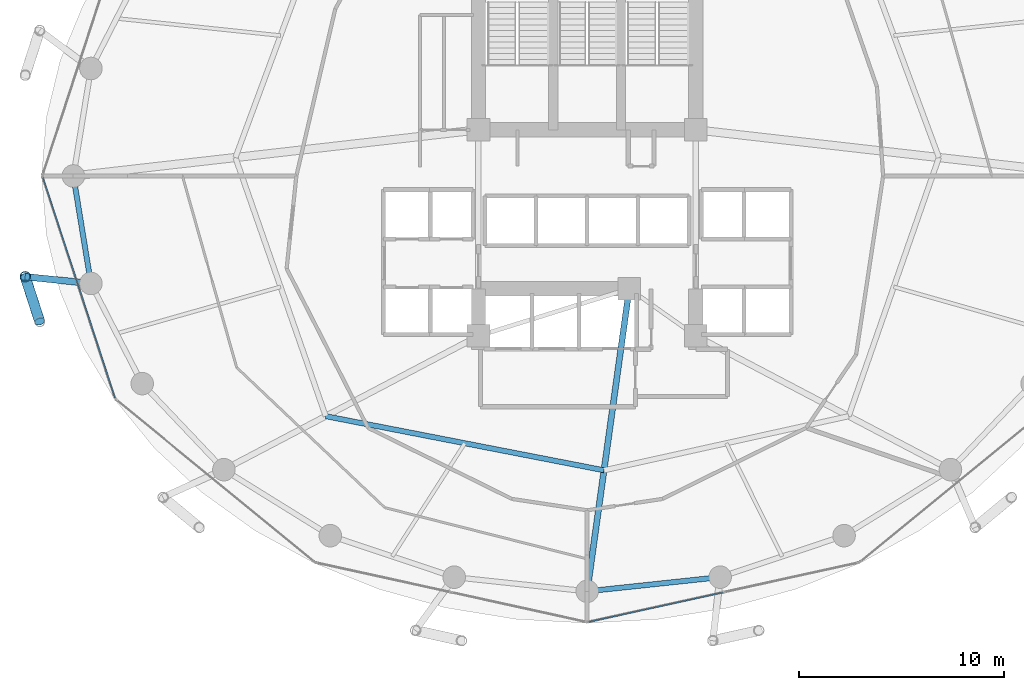
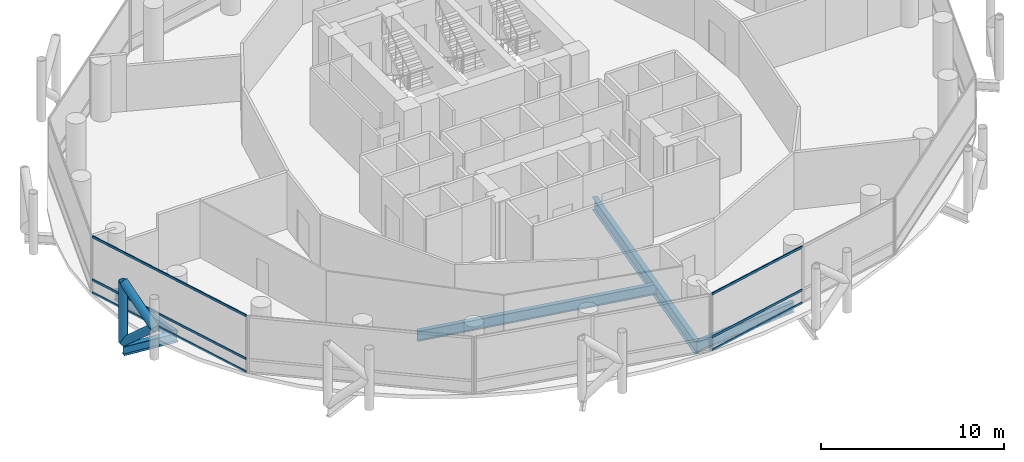
# One storey, part 5 of 24: 9 members, 5 beams, 2 elements without a shape of their own.
"""IFC4 building model written with IfcOpenShell, lengths in metres."""

from ifc_helpers import new_model, si_unit, direction, frame, origin, origin_2d, place, context, subcontext, project, spatial, hollow_rectangle, hollow_circle, i_section, extrude, material, layer, layer_set, material_profile, profile_set, type_object, element, aggregate, save


model = new_model("IFC4")

# Units and contexts
model_context = context("Model", 3, precision=1e-05, world=origin(), true_north=direction((0.0, 1.0)))
body_context = subcontext(model_context, "Body", "Model", "MODEL_VIEW")
ifc_project = project(units=[si_unit("LENGTHUNIT", "METRE"), si_unit("AREAUNIT", "SQUARE_METRE"), si_unit("VOLUMEUNIT", "CUBIC_METRE"), si_unit("PLANEANGLEUNIT", "RADIAN"), si_unit("MASSUNIT", "GRAM", prefix="KILO")], contexts=[model_context])

# Site, building, storey
site_placement = place(None, origin())
site = spatial("IfcSite", under=ifc_project, at=site_placement, CompositionType="ELEMENT")
building_placement = place(site_placement, origin())
building = spatial("IfcBuilding", under=site, at=building_placement, Name="Nuhasar Tower", CompositionType="ELEMENT")
storey_placement = place(building_placement, frame((0.0, 0.0, 73.64990234375)))
storey = spatial("IfcBuildingStorey", under=building, at=storey_placement, Name="L17", CompositionType="ELEMENT", Elevation=73.64990234375)

# Beams
ifc_material_1 = material(Name="Steel S355", Category="steel")
ifc_material_profile_1 = material_profile(ifc_material_1, i_section(OverallWidth=0.25390625, OverallDepth=0.68408203125, WebThickness=0.012451171875, FlangeThickness=0.018798828125, at=origin_2d()), Name="W27X94")
ifc_profile_set_1 = profile_set([ifc_material_profile_1], Name="Steel S355")
beam_type_1 = type_object("IfcBeamType", Name="BM-INRING-W27X94", PredefinedType="BEAM", material=ifc_profile_set_1)
beam_1_placement = place(storey_placement, frame((26.251953125, 15.089111328125, -0.591796875), z_axis=(0.981602977761, -0.190933480695, 0.0), x_axis=(0.190933480695, 0.981602977761, 0.0)))
element("IfcBeam", 1, at=beam_1_placement, inside=storey, type_object=beam_type_1, Name="L17 Inner Header Beam 01", PredefinedType="BEAM", context=body_context, shape_type="SweptSolid", body=[
    extrude(i_section(OverallWidth=0.25390625, OverallDepth=0.68408203125, WebThickness=0.012451171875, FlangeThickness=0.018798828125, at=origin_2d()), origin(), (0.0, 0.0, 1.0), 13.822509765625),
])
ifc_material_profile_2 = material_profile(ifc_material_1, i_section(OverallWidth=0.2919921875, OverallDepth=0.85888671875, WebThickness=0.01708984375, FlangeThickness=0.031005859375, at=origin_2d()), Name="W33X169")
ifc_profile_set_2 = profile_set([ifc_material_profile_2], Name="Steel S355")
beam_type_2 = type_object("IfcBeamType", Name="BM-POD-W33X169", PredefinedType="BEAM", material=ifc_profile_set_2)
beam_2_placement = place(storey_placement, frame((41.050048828125, 21.300048828125, -0.678955078125), z_axis=(-0.137663087856, -0.990479113481, 0.0), x_axis=(0.990479113481, -0.137663087856, 0.0)))
element("IfcBeam", 2, at=beam_2_placement, inside=storey, type_object=beam_type_2, Name="L17 Radial Floor Girder 02", PredefinedType="BEAM", context=body_context, shape_type="SweptSolid", body=[
    extrude(i_section(OverallWidth=0.2919921875, OverallDepth=0.85888671875, WebThickness=0.01708984375, FlangeThickness=0.031005859375, at=origin_2d()), origin(), (0.0, 0.0, 1.0), 14.891845703125),
])
ifc_material_profile_3 = material_profile(ifc_material_1, i_section(OverallWidth=0.256103515625, OverallDepth=0.693115234375, WebThickness=0.014404296875, FlangeThickness=0.023681640625, at=origin_2d()), Name="W27X114")
ifc_profile_set_3 = profile_set([ifc_material_profile_3], Name="Steel S355")
beam_type_3 = type_object("IfcBeamType", Name="BM-RING-W27X114", PredefinedType="SPANDREL", material=ifc_profile_set_3)
beam_3_placement = place(storey_placement, frame((13.949951171875, 26.800048828125, -0.596923828125), z_axis=(0.160826635486, -0.986982671235, 0.0), x_axis=(0.986982671235, 0.160826635486, 0.0)))
element("IfcBeam", 3, at=beam_3_placement, inside=storey, type_object=beam_type_3, Name="L17 Perimeter Ring Spandrel 13", PredefinedType="SPANDREL", context=body_context, shape_type="SweptSolid", body=[
    extrude(i_section(OverallWidth=0.256103515625, OverallDepth=0.693115234375, WebThickness=0.014404296875, FlangeThickness=0.023681640625, at=origin_2d()), origin(), (0.0, 0.0, 1.0), 5.31005859375),
])
beam_4_placement = place(storey_placement, frame((39.0, 6.550048828125, -0.596923828125), z_axis=(0.994384554061, 0.105827022286, 0.0), x_axis=(-0.105827022286, 0.994384554061, 0.0)))
element("IfcBeam", 4, at=beam_4_placement, inside=storey, type_object=beam_type_3, Name="L17 Perimeter Ring Spandrel 19", PredefinedType="SPANDREL", context=body_context, shape_type="SweptSolid", body=[
    extrude(i_section(OverallWidth=0.256103515625, OverallDepth=0.693115234375, WebThickness=0.014404296875, FlangeThickness=0.023681640625, at=origin_2d()), origin(), (0.0, 0.0, 1.0), 6.51953125),
])
ifc_material_profile_4 = material_profile(ifc_material_1, i_section(OverallWidth=0.323974609375, OverallDepth=0.611083984375, WebThickness=0.0126953125, FlangeThickness=0.01904296875, at=origin_2d()), Name="W24X104")
ifc_profile_set_4 = profile_set([ifc_material_profile_4], Name="Steel S355")
beam_type_4 = type_object("IfcBeamType", Name="BM-TIE-W24X104", PredefinedType="BEAM", material=ifc_profile_set_4)
beam_5_placement = place(storey_placement, frame((14.803955078125, 21.55908203125, -0.554931640625), z_axis=(-0.994711572359, 0.102707778751, 0.0), x_axis=(-0.102707778751, -0.994711572359, 0.0)))
element("IfcBeam", 5, at=beam_5_placement, inside=storey, type_object=beam_type_4, Name="L17 Exoskeleton Node Tie Beam 07", PredefinedType="BEAM", context=body_context, shape_type="SweptSolid", body=[
    extrude(i_section(OverallWidth=0.323974609375, OverallDepth=0.611083984375, WebThickness=0.0126953125, FlangeThickness=0.01904296875, at=origin_2d()), origin(), (0.0, 0.0, 1.0), 3.220947265625),
])

# Curtain wall, members
ifc_material_2 = material(Name="Aluminium 6063-T6", Category="aluminium")
ifc_layer = layer(ifc_material_2, 0.199951171875)
ifc_layer_set = layer_set([ifc_layer], Name="Aluminium 6063-T6")
curtain_wall_type = type_object("IfcCurtainWallType", Name="CW-Z1-OFF", PredefinedType="NOTDEFINED", material=ifc_layer_set)
curtain_wall_1_placement = place(storey_placement, origin())
curtain_wall_1 = element("IfcCurtainWall", 6, at=curtain_wall_1_placement, inside=storey, type_object=curtain_wall_type, Name="L17 Unitised Curtain Wall 07", PredefinedType="NOTDEFINED")
ifc_material_profile_5 = material_profile(ifc_material_2, hollow_rectangle(XDim=0.06494140625, YDim=0.14990234375, WallThickness=0.00439453125, at=origin_2d()), Name="CWT-2")
ifc_profile_set_5 = profile_set([ifc_material_profile_5], Name="Aluminium 6063-T6")
member_type_1 = type_object("IfcMemberType", Name="CW-TRN-S2", PredefinedType="USERDEFINED", material=ifc_profile_set_5)
member_1_placement = place(storey_placement, frame((12.460205078125, 26.73828125, 0.03271484375), z_axis=(0.310818687697, -0.950469222741, 0.0), x_axis=(0.950469222741, 0.310818687697, 0.0)))
member_1 = element("IfcMember", 7, at=member_1_placement, type_object=member_type_1, Name="CW-Z1 transom 1.1", ObjectType="TRANSOM", PredefinedType="USERDEFINED", context=body_context, shape_type="SweptSolid", body=[
    extrude(hollow_rectangle(XDim=0.06494140625, YDim=0.14990234375, WallThickness=0.00439453125, at=origin_2d()), origin(), (0.0, 0.0, 1.0), 11.317138671875),
])
member_2_placement = place(storey_placement, frame((12.460205078125, 26.73828125, 0.900146484375), z_axis=(0.310818687697, -0.950469222741, 0.0), x_axis=(0.950469222741, 0.310818687697, 0.0)))
member_2 = element("IfcMember", 8, at=member_2_placement, type_object=member_type_1, Name="CW-Z1 transom 1.2", ObjectType="TRANSOM", PredefinedType="USERDEFINED", context=body_context, shape_type="SweptSolid", body=[
    extrude(hollow_rectangle(XDim=0.06494140625, YDim=0.14990234375, WallThickness=0.00439453125, at=origin_2d()), origin(), (0.0, 0.0, 1.0), 11.317138671875),
])
member_3_placement = place(storey_placement, frame((12.460205078125, 26.73828125, 3.767578125), z_axis=(0.310818687697, -0.950469222741, 0.0), x_axis=(0.950469222741, 0.310818687697, 0.0)))
member_3 = element("IfcMember", 9, at=member_3_placement, type_object=member_type_1, Name="CW-Z1 transom 1.3", ObjectType="TRANSOM", PredefinedType="USERDEFINED", context=body_context, shape_type="SweptSolid", body=[
    extrude(hollow_rectangle(XDim=0.06494140625, YDim=0.14990234375, WallThickness=0.00439453125, at=origin_2d()), origin(), (0.0, 0.0, 1.0), 11.317138671875),
])
aggregate(curtain_wall_1, [member_1, member_2, member_3])

curtain_wall_2_placement = place(storey_placement, origin())
curtain_wall_2 = element("IfcCurtainWall", 10, at=curtain_wall_2_placement, inside=storey, type_object=curtain_wall_type, Name="L17 Unitised Curtain Wall 10", PredefinedType="NOTDEFINED")
member_4_placement = place(storey_placement, frame((39.0634765625, 5.053955078125, 0.03271484375), z_axis=(0.976747879138, 0.214391185916, 0.0), x_axis=(-0.214391185916, 0.976747879138, 0.0)))
member_4 = element("IfcMember", 11, at=member_4_placement, type_object=member_type_1, Name="CW-Z1 transom 1.1", ObjectType="TRANSOM", PredefinedType="USERDEFINED", context=body_context, shape_type="SweptSolid", body=[
    extrude(hollow_rectangle(XDim=0.06494140625, YDim=0.14990234375, WallThickness=0.00439453125, at=origin_2d()), origin(), (0.0, 0.0, 1.0), 6.700439453125),
])
member_5_placement = place(storey_placement, frame((39.0634765625, 5.053955078125, 0.900146484375), z_axis=(0.976747879138, 0.214391185916, 0.0), x_axis=(-0.214391185916, 0.976747879138, 0.0)))
member_5 = element("IfcMember", 12, at=member_5_placement, type_object=member_type_1, Name="CW-Z1 transom 1.2", ObjectType="TRANSOM", PredefinedType="USERDEFINED", context=body_context, shape_type="SweptSolid", body=[
    extrude(hollow_rectangle(XDim=0.06494140625, YDim=0.14990234375, WallThickness=0.00439453125, at=origin_2d()), origin(), (0.0, 0.0, 1.0), 6.700439453125),
])
member_6_placement = place(storey_placement, frame((39.0634765625, 5.053955078125, 3.767578125), z_axis=(0.976747879138, 0.214391185916, 0.0), x_axis=(-0.214391185916, 0.976747879138, 0.0)))
member_6 = element("IfcMember", 13, at=member_6_placement, type_object=member_type_1, Name="CW-Z1 transom 1.3", ObjectType="TRANSOM", PredefinedType="USERDEFINED", context=body_context, shape_type="SweptSolid", body=[
    extrude(hollow_rectangle(XDim=0.06494140625, YDim=0.14990234375, WallThickness=0.00439453125, at=origin_2d()), origin(), (0.0, 0.0, 1.0), 6.700439453125),
])
aggregate(curtain_wall_2, [member_4, member_5, member_6])

# Members
ifc_material_3 = material(Name="Steel S460", Category="steel")
ifc_material_profile_6 = material_profile(ifc_material_3, hollow_circle(Radius=0.25390625, WallThickness=0.025390625, at=origin_2d()), Name="HSS508X25.4")
ifc_profile_set_6 = profile_set([ifc_material_profile_6], Name="Steel S460")
member_type_2 = type_object("IfcMemberType", Name="EXO-BRONZE-508", PredefinedType="BRACE", material=ifc_profile_set_6)
member_7_placement = place(storey_placement, frame((11.60009765625, 21.889892578125, 0.0), z_axis=(0.0, 0.0, 1.0), x_axis=(1.0, 0.0, 0.0)))
element("IfcMember", 14, at=member_7_placement, inside=storey, type_object=member_type_2, Name="L17 Exoskeleton Chord Column EC-07A", PredefinedType="BRACE", context=body_context, shape_type="SweptSolid", body=[
    extrude(hollow_circle(Radius=0.25390625, WallThickness=0.025390625, at=origin_2d()), origin(), (0.0, 0.0, 1.0), 4.050048828125),
])
member_8_placement = place(storey_placement, frame((11.60009765625, 21.889892578125, 0.0), z_axis=(0.230999678299, -0.714187281251, 0.660738734997), x_axis=(0.951468282519, 0.307746823478, 0.0)))
element("IfcMember", 15, at=member_8_placement, inside=storey, type_object=member_type_2, Name="L17 Bronze Diagrid Brace W1-07", PredefinedType="BRACE", context=body_context, shape_type="SweptSolid", body=[
    extrude(hollow_circle(Radius=0.25390625, WallThickness=0.025390625, at=origin_2d()), origin(), (0.0, 0.0, 1.0), 3.06494140625),
])
member_9_placement = place(storey_placement, frame((12.30810546875, 19.700927734375, 2.025146484375), z_axis=(-0.231011836313, 0.714224870475, 0.660693851854), x_axis=(-0.951468282519, -0.307746823478, 0.0)))
element("IfcMember", 16, at=member_9_placement, inside=storey, type_object=member_type_2, Name="L17 Bronze Diagrid Brace W2-07", PredefinedType="BRACE", context=body_context, shape_type="SweptSolid", body=[
    extrude(hollow_circle(Radius=0.25390625, WallThickness=0.025390625, at=origin_2d()), origin(), (0.0, 0.0, 1.0), 3.064697265625),
])

save(model, "model.ifc")
